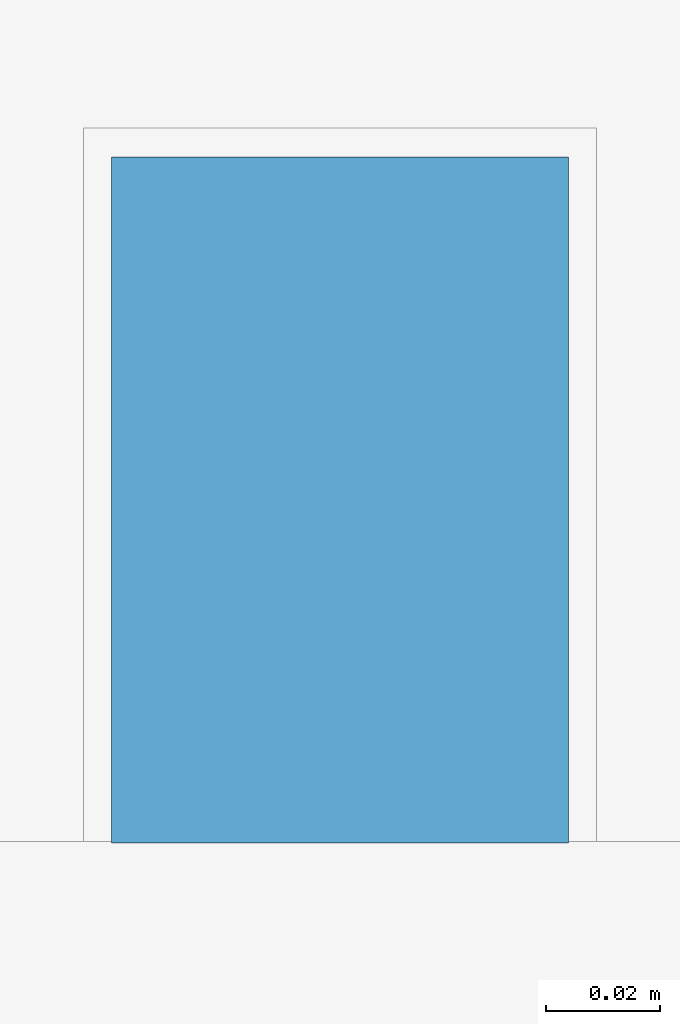
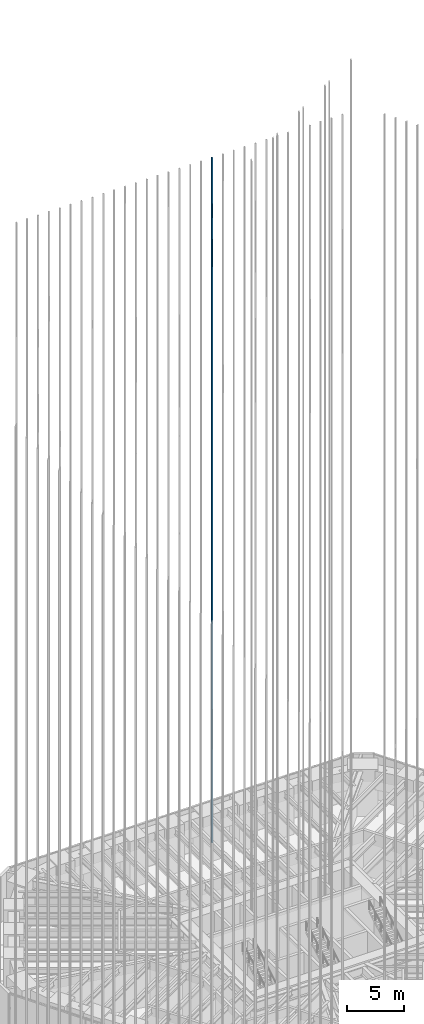
# One storey, part 201 of 228: 1 member, 1 element without a shape of its own.
"""IFC4 building model written with IfcOpenShell, lengths in metres."""

from ifc_helpers import new_model, si_unit, direction, frame, origin, origin_2d, place, context, subcontext, project, spatial, rectangle, extrude, material, material_profile, profile_set, type_object, element, aggregate, save


model = new_model("IFC4")

# Units and contexts
model_context = context("Model", 3, precision=1e-05, world=origin(), true_north=direction((0.0, 1.0)))
body_context = subcontext(model_context, "Body", "Model", "MODEL_VIEW")
ifc_project = project(units=[si_unit("LENGTHUNIT", "METRE"), si_unit("AREAUNIT", "SQUARE_METRE"), si_unit("VOLUMEUNIT", "CUBIC_METRE"), si_unit("PLANEANGLEUNIT", "RADIAN"), si_unit("MASSUNIT", "GRAM", prefix="KILO")], contexts=[model_context])

# Site, building, storey
site_placement = place(None, origin())
site = spatial("IfcSite", under=ifc_project, at=site_placement, CompositionType="ELEMENT")
building_placement = place(site_placement, origin())
building = spatial("IfcBuilding", under=site, at=building_placement, Name="Sandreach Pilgrim Tower", CompositionType="ELEMENT")
storey_placement = place(building_placement, frame((0.0, 0.0, 178.199951171875)))
storey = spatial("IfcBuildingStorey", under=building, at=storey_placement, Name="L44", CompositionType="ELEMENT", Elevation=178.199951171875)

# Curtain wall, member
ifc_material_1 = material(Name="Aluminium framed curtain wall", Category="aluminium")
curtain_wall_type = type_object("IfcCurtainWallType", Name="Upper hotel tower curtain wall", PredefinedType="NOTDEFINED", material=ifc_material_1)
curtain_wall_placement = place(storey_placement, origin())
curtain_wall = element("IfcCurtainWall", 1, at=curtain_wall_placement, inside=storey, type_object=curtain_wall_type, Name="CW-3 L44 N", PredefinedType="NOTDEFINED")
ifc_material_2 = material(Name="Extruded terracotta on aluminium core", Category="masonry")
ifc_material_profile = material_profile(ifc_material_2, rectangle(XDim=0.080078125, YDim=0.1201171875, at=origin_2d()), Name="TBN 80X120")
ifc_profile_set = profile_set([ifc_material_profile], Name="Extruded terracotta on aluminium core")
member_type = type_object("IfcMemberType", Name="Terracotta baguette north", PredefinedType="USERDEFINED", material=ifc_profile_set)
member_placement = place(storey_placement, frame((3.299560546875, 21.52001953125, 0.0), z_axis=(0.0, 0.0, 1.0), x_axis=(1.0, 0.0, 0.0)))
member = element("IfcMember", 2, at=member_placement, type_object=member_type, Name="Baguette Z3 N19", ObjectType="BAGUETTE", PredefinedType="USERDEFINED", context=body_context, shape_type="SweptSolid", body=[
    extrude(rectangle(XDim=0.080078125, YDim=0.1201171875, at=origin_2d()), origin(), (0.0, 0.0, 1.0), 73.239990234375),
])
aggregate(curtain_wall, [member])

save(model, "model.ifc")
